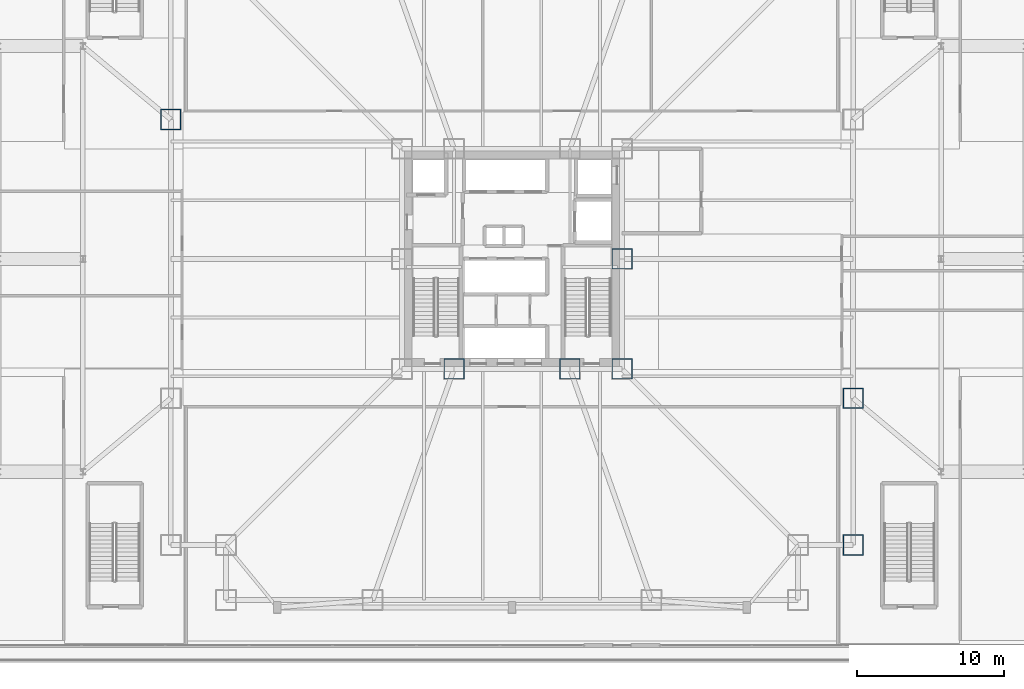
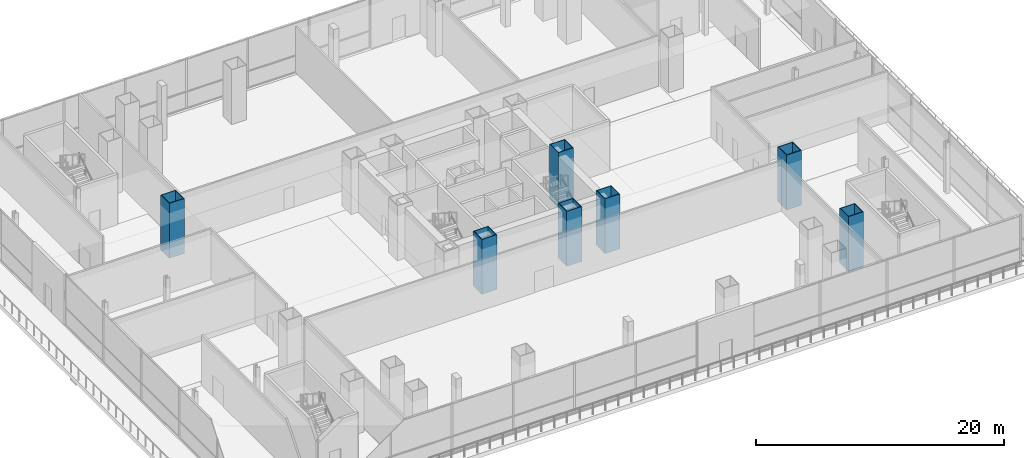
# One storey, part 2 of 35: 7 columns.
"""IFC4 building model written with IfcOpenShell, lengths in metres."""

from ifc_helpers import new_model, si_unit, direction, frame, origin, origin_2d, place, context, subcontext, project, spatial, hollow_rectangle, extrude, material, material_profile, profile_set, type_object, element, save


model = new_model("IFC4")

# Units and contexts
model_context = context("Model", 3, precision=1e-05, world=origin(), true_north=direction((0.0, 1.0)))
body_context = subcontext(model_context, "Body", "Model", "MODEL_VIEW")
ifc_project = project(units=[si_unit("LENGTHUNIT", "METRE"), si_unit("AREAUNIT", "SQUARE_METRE"), si_unit("VOLUMEUNIT", "CUBIC_METRE"), si_unit("PLANEANGLEUNIT", "RADIAN"), si_unit("MASSUNIT", "GRAM", prefix="KILO")], contexts=[model_context])

# Site, building, storey
site_placement = place(None, origin())
site = spatial("IfcSite", under=ifc_project, at=site_placement, CompositionType="ELEMENT")
building_placement = place(site_placement, origin())
building = spatial("IfcBuilding", under=site, at=building_placement, Name="Trevonay Congress Spire", CompositionType="ELEMENT")
storey_placement = place(building_placement, frame((0.0, 0.0, 10.800048828125)))
storey = spatial("IfcBuildingStorey", under=building, at=storey_placement, Name="L02", CompositionType="ELEMENT", Elevation=10.800048828125)

# Columns
ifc_material = material(Name="Steel ASTM A572 Grade 50", Category="steel")
ifc_material_profile = material_profile(ifc_material, hollow_rectangle(XDim=1.39990234375, YDim=1.39990234375, WallThickness=0.06005859375, at=origin_2d()), Name="BOX 1400x1400x60")
ifc_profile_set = profile_set([ifc_material_profile], Name="Steel ASTM A572 Grade 50")
column_type = type_object("IfcColumnType", Name="COL-CORE-BOX1400", PredefinedType="COLUMN", material=ifc_profile_set)
for number, where, z_axis, x_axis, name in (
    (1, (-3.949951171875, -7.5, 0.0), (0.0, 0.0, 1.0), (1.0, 0.0, 0.0), "L02 column C01 at CC-SMW"),
    (2, (3.949951171875, -7.5, 0.0), (0.0, 0.0, 1.0), (1.0, 0.0, 0.0), "L02 column C01 at CC-SME"),
    (3, (7.5, -7.5, 0.0), (0.0, 0.0, 1.0), (1.0, 0.0, 0.0), "L02 column C01 at CC-SE"),
    (4, (7.5, 0.0, 0.0), (0.0, 0.0, 1.0), (1.0, 0.0, 0.0), "L02 column C01 at CC-E"),
    (5, (-23.25, 9.5, 0.0), (0.0, 0.0, 1.0), (1.0, 0.0, 0.0), "L02 column C01 at TM-W5"),
    (6, (23.25, -19.5, 0.0), (0.0, 0.0, 1.0), (1.0, 0.0, 0.0), "L02 column C01 at TM-E1"),
    (7, (23.25, -9.5, 0.0), (0.0, 0.0, 1.0), (1.0, 0.0, 0.0), "L02 column C01 at TM-E2"),
):
    element("IfcColumn", number, at=place(storey_placement, frame(where, z_axis=z_axis, x_axis=x_axis)), inside=storey, type_object=column_type, Name=name, PredefinedType="COLUMN", context=body_context, shape_type="SweptSolid", body=[
        extrude(hollow_rectangle(XDim=1.39990234375, YDim=1.39990234375, WallThickness=0.06005859375, at=origin_2d()), origin(), (0.0, 0.0, 1.0), 5.39990234375),
    ])

save(model, "model.ifc")
